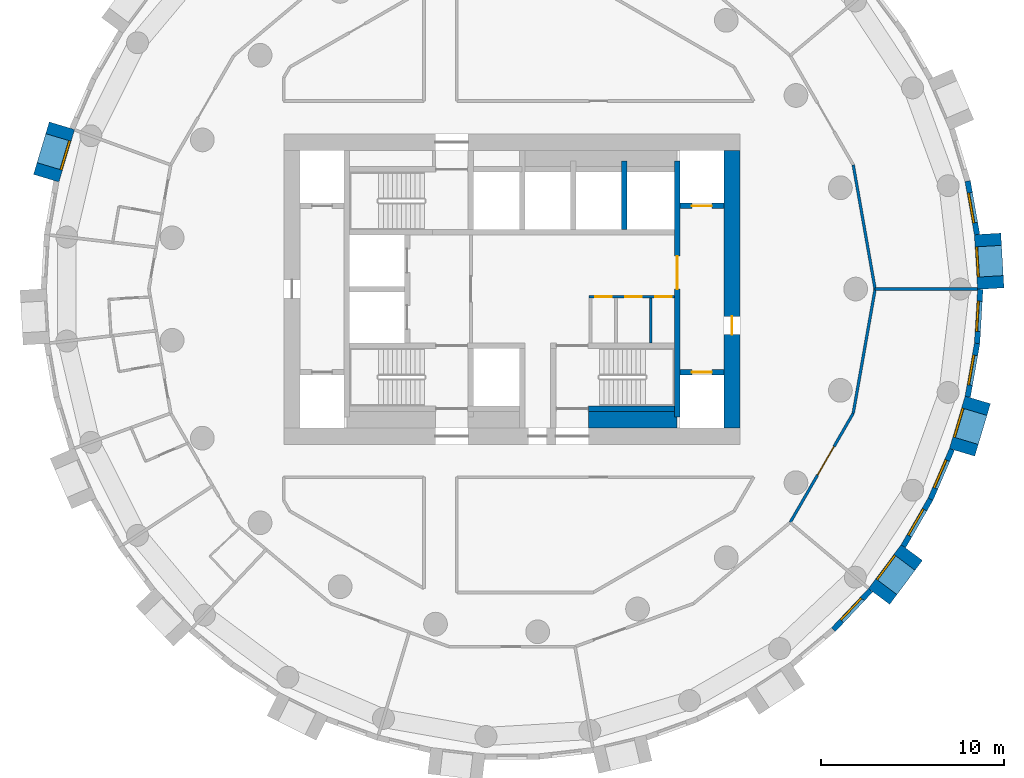
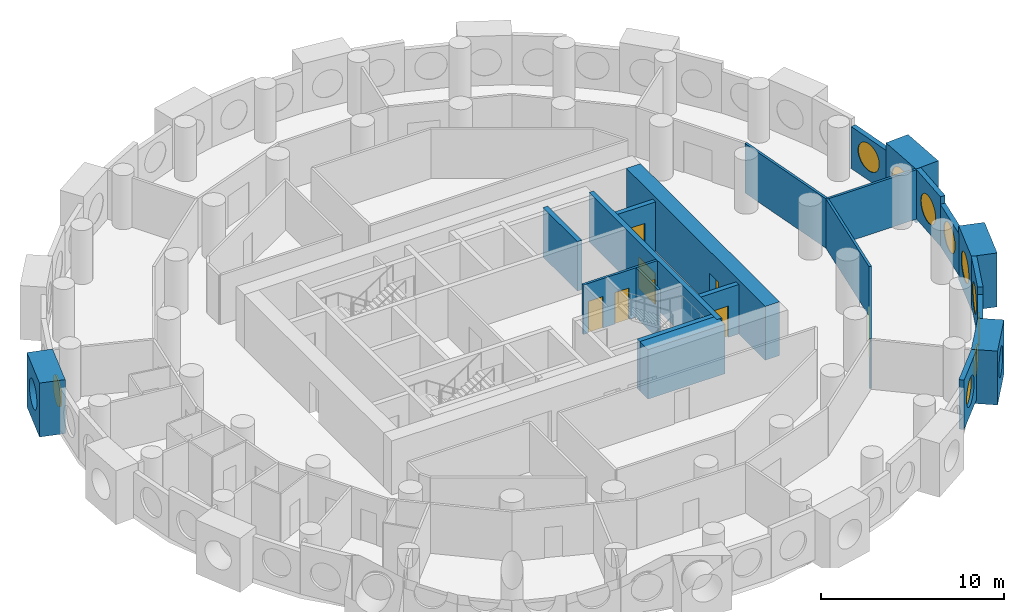
# One storey, part 5 of 9: 23 walls, 10 windows, 8 doors, 18 openings.
"""IFC4 building model written with IfcOpenShell, lengths in metres."""

from ifc_helpers import new_model, si_unit, direction, frame, frame_2d, origin, origin_2d, place, context, subcontext, project, spatial, rectangle, circle, extrude, material, layer, layer_set, type_object, element, fill, save


model = new_model("IFC4")

# Units and contexts
model_context = context("Model", 3, precision=1e-05, world=origin(), true_north=direction((0.0, 1.0)))
body_context = subcontext(model_context, "Body", "Model", "MODEL_VIEW")
ifc_project = project(units=[si_unit("LENGTHUNIT", "METRE"), si_unit("AREAUNIT", "SQUARE_METRE"), si_unit("VOLUMEUNIT", "CUBIC_METRE"), si_unit("PLANEANGLEUNIT", "RADIAN"), si_unit("MASSUNIT", "GRAM", prefix="KILO")], contexts=[model_context])

# Site, building, storey
site_placement = place(None, origin())
site = spatial("IfcSite", under=ifc_project, at=site_placement, CompositionType="ELEMENT")
building_placement = place(site_placement, origin())
building = spatial("IfcBuilding", under=site, at=building_placement, Name="Tracery Tower", CompositionType="ELEMENT")
storey_placement = place(building_placement, frame((0.0, 0.0, 208.800048828125)))
storey = spatial("IfcBuildingStorey", under=building, at=storey_placement, Name="L54", CompositionType="ELEMENT", Elevation=208.800048828125)

# Wall, openings, doors
ifc_material_1 = material(Name="Plasterboard on steel studs", Category="steel")
ifc_layer_1 = layer(ifc_material_1, 0.14990234375)
ifc_layer_set_1 = layer_set([ifc_layer_1], Name="Core room partition 150")
wall_type_1 = type_object("IfcWallType", Name="Core room partition 150", PredefinedType="SOLIDWALL", material=ifc_layer_set_1)
wall_1_placement = place(storey_placement, frame((4.22509765625, -0.425048828125, 0.0), z_axis=(0.0, 0.0, 1.0), x_axis=(1.0, 0.0, 0.0)))
wall_1 = element("IfcWall", 1, at=wall_1_placement, inside=storey, type_object=wall_type_1, Name="L54 slot N", PredefinedType="SOLIDWALL", context=body_context, shape_type="SweptSolid", body=[
    extrude(rectangle(XDim=4.6748046875, YDim=0.14990234375, at=frame_2d((2.33740234375, 0.0))), origin(), (0.0, 0.0, 1.0), 3.300048828125),
])
opening_1_placement = place(wall_1_placement, frame((0.324951171875, 0.0, 0.0)))
opening_1 = element("IfcOpeningElement", 2, at=opening_1_placement, cuts=wall_1, Name="Opening KD27", PredefinedType="OPENING", context=body_context, shape_type="SweptSolid", body=[
    extrude(rectangle(XDim=0.89990234375, YDim=2.10009765625, at=frame_2d((0.449951171875, 1.050048828125))), frame((0.0, 0.074951171875, 0.0), z_axis=(0.0, -1.0, 0.0), x_axis=(1.0, 0.0, 0.0)), (0.0, 0.0, 1.0), 0.14990234375),
])
opening_2_placement = place(wall_1_placement, frame((1.97509765625, 0.0, 0.0)))
opening_2 = element("IfcOpeningElement", 3, at=opening_2_placement, cuts=wall_1, Name="Opening KD21", PredefinedType="OPENING", context=body_context, shape_type="SweptSolid", body=[
    extrude(rectangle(XDim=0.89990234375, YDim=2.10009765625, at=frame_2d((0.449951171875, 1.050048828125))), frame((0.0, 0.074951171875, 0.0), z_axis=(0.0, -1.0, 0.0), x_axis=(1.0, 0.0, 0.0)), (0.0, 0.0, 1.0), 0.14990234375),
])
opening_3_placement = place(wall_1_placement, frame((3.612548828125, 0.0, 0.0)))
opening_3 = element("IfcOpeningElement", 4, at=opening_3_placement, cuts=wall_1, Name="Opening KD32", PredefinedType="OPENING", context=body_context, shape_type="SweptSolid", body=[
    extrude(rectangle(XDim=0.89990234375, YDim=2.10009765625, at=frame_2d((0.449951171875, 1.050048828125))), frame((0.0, 0.074951171875, 0.0), z_axis=(0.0, -1.0, 0.0), x_axis=(1.0, 0.0, 0.0)), (0.0, 0.0, 1.0), 0.14990234375),
])
ifc_material_2 = material(Name="Timber door leaf", Category="wood")
door_type_1 = type_object("IfcDoorType", Name="Core WC door 900", OperationType="NOTDEFINED", PredefinedType="DOOR", material=ifc_material_2)
door_1_placement = place(opening_2_placement, origin())
door_1 = element("IfcDoor", 5, at=door_1_placement, inside=storey, type_object=door_type_1, Name="Core door", OperationType="SINGLE_SWING_LEFT", OverallHeight=2.10009765625, OverallWidth=0.89990234375, PredefinedType="DOOR", context=body_context, shape_type="SweptSolid", body=[
    extrude(rectangle(XDim=0.89990234375, YDim=2.10009765625, at=frame_2d((0.449951171875, 1.050048828125))), frame((0.0, 0.02490234375, 0.0), z_axis=(0.0, -1.0, 0.0), x_axis=(1.0, 0.0, 0.0)), (0.0, 0.0, 1.0), 0.050048828125),
])
fill(opening_2, door_1)
ifc_material_3 = material(Name="Steel fire door", Category="steel")
door_type_2 = type_object("IfcDoorType", Name="Core riser door 900", OperationType="NOTDEFINED", PredefinedType="DOOR", material=ifc_material_3)
door_2_placement = place(opening_3_placement, origin())
door_2 = element("IfcDoor", 6, at=door_2_placement, inside=storey, type_object=door_type_2, Name="Core door", OperationType="SINGLE_SWING_RIGHT", OverallHeight=2.10009765625, OverallWidth=0.89990234375, PredefinedType="DOOR", context=body_context, shape_type="SweptSolid", body=[
    extrude(rectangle(XDim=0.89990234375, YDim=2.10009765625, at=frame_2d((0.449951171875, 1.050048828125))), frame((0.0, 0.02490234375, 0.0), z_axis=(0.0, -1.0, 0.0), x_axis=(1.0, 0.0, 0.0)), (0.0, 0.0, 1.0), 0.050048828125),
])
fill(opening_3, door_2)
ifc_material_4 = material(Name="Timber door leaf", Category="wood")
door_type_3 = type_object("IfcDoorType", Name="Core store door 900", OperationType="NOTDEFINED", PredefinedType="DOOR", material=ifc_material_4)
door_3_placement = place(opening_1_placement, origin())
door_3 = element("IfcDoor", 7, at=door_3_placement, inside=storey, type_object=door_type_3, Name="Core door", OperationType="SINGLE_SWING_RIGHT", OverallHeight=2.10009765625, OverallWidth=0.89990234375, PredefinedType="DOOR", context=body_context, shape_type="SweptSolid", body=[
    extrude(rectangle(XDim=0.89990234375, YDim=2.10009765625, at=frame_2d((0.449951171875, 1.050048828125))), frame((0.0, 0.02490234375, 0.0), z_axis=(0.0, -1.0, 0.0), x_axis=(1.0, 0.0, 0.0)), (0.0, 0.0, 1.0), 0.050048828125),
])
fill(opening_1, door_3)

# Walls
wall_2_placement = place(storey_placement, frame((7.60009765625, -2.949951171875, 0.0), z_axis=(0.0, 0.0, 1.0), x_axis=(0.0, 1.0, 0.0)))
element("IfcWall", 8, at=wall_2_placement, inside=storey, type_object=wall_type_1, Name="L54 slot sep 2", PredefinedType="SOLIDWALL", context=body_context, shape_type="SweptSolid", body=[
    extrude(rectangle(XDim=2.449951171875, YDim=0.14990234375, at=frame_2d((1.22509765625, 0.0))), origin(), (0.0, 0.0, 1.0), 3.300048828125),
])
ifc_material_5 = material(Name="Concrete C50/60", Category="concrete")
ifc_layer_2 = layer(ifc_material_5, 0.89990234375)
ifc_layer_set_2 = layer_set([ifc_layer_2], Name="Core strip wall 900 C50")
wall_type_2 = type_object("IfcWallType", Name="Core strip wall 900 C50", PredefinedType="SOLIDWALL", material=ifc_layer_set_2)
wall_3_placement = place(storey_placement, frame((4.199951171875, -7.14990234375, 0.0), z_axis=(0.0, 0.0, 1.0), x_axis=(1.0, 0.0, 0.0)))
element("IfcWall", 9, at=wall_3_placement, inside=storey, type_object=wall_type_2, Name="L54 F thick S E", PredefinedType="SOLIDWALL", context=body_context, shape_type="SweptSolid", body=[
    extrude(rectangle(XDim=4.85009765625, YDim=0.89990234375, at=frame_2d((2.425048828125, 0.0))), origin(), (0.0, 0.0, 1.0), 3.300048828125),
])

# Wall, opening, door
ifc_material_6 = material(Name="Concrete C50/60", Category="concrete")
ifc_layer_3 = layer(ifc_material_6, 0.89990234375)
ifc_layer_set_3 = layer_set([ifc_layer_3], Name="Core wall 900 C50")
wall_type_3 = type_object("IfcWallType", Name="Core wall 900 C50", PredefinedType="SOLIDWALL", material=ifc_layer_set_3)
wall_4_placement = place(storey_placement, frame((12.050048828125, -7.60009765625, 0.0), z_axis=(0.0, 0.0, 1.0), x_axis=(0.0, 1.0, 0.0)))
wall_4 = element("IfcWall", 10, at=wall_4_placement, inside=storey, type_object=wall_type_3, Name="L54 outer E", PredefinedType="SOLIDWALL", context=body_context, shape_type="SweptSolid", body=[
    extrude(rectangle(XDim=15.2001953125, YDim=0.89990234375, at=frame_2d((7.60009765625, 0.0))), origin(), (0.0, 0.0, 1.0), 3.599853515625),
])
opening_4_placement = place(wall_4_placement, frame((5.10009765625, 0.0, 0.0)))
opening_4 = element("IfcOpeningElement", 11, at=opening_4_placement, cuts=wall_4, Name="Opening KD18", PredefinedType="OPENING", context=body_context, shape_type="SweptSolid", body=[
    extrude(rectangle(XDim=1.0, YDim=2.10009765625, at=frame_2d((0.5, 1.050048828125))), frame((0.0, 0.449951171875, 0.0), z_axis=(0.0, -1.0, 0.0), x_axis=(1.0, 0.0, 0.0)), (0.0, 0.0, 1.0), 0.89990234375),
])
ifc_material_7 = material(Name="Steel fire door", Category="steel")
door_type_4 = type_object("IfcDoorType", Name="Core exit door 1000", OperationType="NOTDEFINED", PredefinedType="DOOR", material=ifc_material_7)
door_4_placement = place(opening_4_placement, origin())
door_4 = element("IfcDoor", 12, at=door_4_placement, inside=storey, type_object=door_type_4, Name="Core exit door", OperationType="DOUBLE_DOOR_SINGLE_SWING", OverallHeight=2.10009765625, OverallWidth=1.0, PredefinedType="DOOR", context=body_context, shape_type="SweptSolid", body=[
    extrude(rectangle(XDim=1.0, YDim=2.10009765625, at=frame_2d((0.5, 1.050048828125))), frame((0.0, 0.02490234375, 0.0), z_axis=(0.0, -1.0, 0.0), x_axis=(1.0, 0.0, 0.0)), (0.0, 0.0, 1.0), 0.050048828125),
])
fill(opening_4, door_4)

# Wall, opening, window
ifc_material_8 = material(Name="Precast concrete C50/60", Category="concrete")
ifc_layer_4 = layer(ifc_material_8, 1.449951171875)
ifc_layer_set_4 = layer_set([ifc_layer_4], Name="Deep-set bay unit 3000 x 3600, slab edge 300")
wall_type_4 = type_object("IfcWallType", Name="Deep-set bay unit 3000 x 3600, slab edge 300", PredefinedType="ELEMENTEDWALL", material=ifc_layer_set_4)
wall_5_placement = place(storey_placement, frame((26.221923828125, 0.024658203125, -0.300048828125), z_axis=(0.0, 0.0, 1.0), x_axis=(-0.058106596105, 0.998310384344, 0.0)))
wall_5 = element("IfcWall", 13, at=wall_5_placement, inside=storey, type_object=wall_type_4, Name="Deep-set bay unit 1 at L54", PredefinedType="ELEMENTEDWALL", context=body_context, shape_type="SweptSolid", body=[
    extrude(rectangle(XDim=3.0, YDim=1.449951171875, at=frame_2d((1.5, 0.0))), origin(), (0.0, 0.0, 1.0), 3.60009765625),
])
opening_5_placement = place(wall_5_placement, frame((1.5, 0.0, 1.85009765625)))
opening_5 = element("IfcOpeningElement", 14, at=opening_5_placement, cuts=wall_5, Name="Opening WN1", PredefinedType="OPENING", context=body_context, shape_type="SweptSolid", body=[
    extrude(circle(Radius=0.9000244140625, at=origin_2d()), frame((0.0, 0.73486328125, 0.0), z_axis=(0.0, -1.0, 0.0), x_axis=(1.0, 0.0, 0.0)), (0.0, 0.0, 1.0), 1.469970703125),
])
ifc_material_9 = material(Name="Aluminium frame with tinted double glazing", Category="aluminium")
window_type = type_object("IfcWindowType", Name="Round window 1800", PartitioningType="SINGLE_PANEL", PredefinedType="WINDOW", material=ifc_material_9)
window_1_placement = place(opening_5_placement, origin())
window_1 = element("IfcWindow", 15, at=window_1_placement, inside=storey, type_object=window_type, Name="Round window 1 at L54", OverallHeight=1.800048828125, OverallWidth=1.800048828125, PartitioningType="SINGLE_PANEL", PredefinedType="WINDOW", context=body_context, shape_type="SweptSolid", body=[
    extrude(circle(Radius=0.9000244140625, at=origin_2d()), frame((0.0, 0.69482421875, 0.0), z_axis=(0.0, -1.0, 0.0), x_axis=(1.0, 0.0, 0.0)), (0.0, 0.0, 1.0), 0.10009765625),
])
fill(opening_5, window_1)

wall_6_placement = place(storey_placement, frame((-24.649169921875, 8.9453125, -0.300048828125), z_axis=(0.0, 0.0, 1.0), x_axis=(-0.286780420304, -0.957996341606, 0.0)))
wall_6 = element("IfcWall", 16, at=wall_6_placement, inside=storey, type_object=wall_type_4, Name="Deep-set bay unit 25 at L54", PredefinedType="ELEMENTEDWALL", context=body_context, shape_type="SweptSolid", body=[
    extrude(rectangle(XDim=3.0, YDim=1.449951171875, at=frame_2d((1.5, 0.0))), origin(), (0.0, 0.0, 1.0), 3.60009765625),
])
opening_6_placement = place(wall_6_placement, frame((1.5, 0.0, 1.85009765625)))
opening_6 = element("IfcOpeningElement", 17, at=opening_6_placement, cuts=wall_6, Name="Opening WN1", PredefinedType="OPENING", context=body_context, shape_type="SweptSolid", body=[
    extrude(circle(Radius=0.9000244140625, at=origin_2d()), frame((0.0, 0.73486328125, 0.0), z_axis=(0.0, -1.0, 0.0), x_axis=(1.0, 0.0, 0.0)), (0.0, 0.0, 1.0), 1.469970703125),
])
window_2_placement = place(opening_6_placement, origin())
window_2 = element("IfcWindow", 18, at=window_2_placement, inside=storey, type_object=window_type, Name="Round window 25 at L54", OverallHeight=1.800048828125, OverallWidth=1.800048828125, PartitioningType="SINGLE_PANEL", PredefinedType="WINDOW", context=body_context, shape_type="SweptSolid", body=[
    extrude(circle(Radius=0.9000244140625, at=origin_2d()), frame((0.0, 0.69482421875, 0.0), z_axis=(0.0, -1.0, 0.0), x_axis=(1.0, 0.0, 0.0)), (0.0, 0.0, 1.0), 0.10009765625),
])
fill(opening_6, window_2)

wall_7_placement = place(storey_placement, frame((20.10302734375, -16.836181640625, -0.300048828125), z_axis=(0.0, 0.0, 1.0), x_axis=(0.597183717734, 0.802104486506, 0.0)))
wall_7 = element("IfcWall", 19, at=wall_7_placement, inside=storey, type_object=wall_type_4, Name="Deep-set bay unit 49 at L54", PredefinedType="ELEMENTEDWALL", context=body_context, shape_type="SweptSolid", body=[
    extrude(rectangle(XDim=3.0, YDim=1.449951171875, at=frame_2d((1.5, 0.0))), origin(), (0.0, 0.0, 1.0), 3.60009765625),
])
opening_7_placement = place(wall_7_placement, frame((1.5, 0.0, 1.85009765625)))
opening_7 = element("IfcOpeningElement", 20, at=opening_7_placement, cuts=wall_7, Name="Opening WN1", PredefinedType="OPENING", context=body_context, shape_type="SweptSolid", body=[
    extrude(circle(Radius=0.9000244140625, at=origin_2d()), frame((0.0, 0.73486328125, 0.0), z_axis=(0.0, -1.0, 0.0), x_axis=(1.0, 0.0, 0.0)), (0.0, 0.0, 1.0), 1.469970703125),
])
window_3_placement = place(opening_7_placement, origin())
window_3 = element("IfcWindow", 21, at=window_3_placement, inside=storey, type_object=window_type, Name="Round window 49 at L54", OverallHeight=1.800048828125, OverallWidth=1.800048828125, PartitioningType="SINGLE_PANEL", PredefinedType="WINDOW", context=body_context, shape_type="SweptSolid", body=[
    extrude(circle(Radius=0.9000244140625, at=origin_2d()), frame((0.0, 0.69482421875, 0.0), z_axis=(0.0, -1.0, 0.0), x_axis=(1.0, 0.0, 0.0)), (0.0, 0.0, 1.0), 0.10009765625),
])
fill(opening_7, window_3)

wall_8_placement = place(storey_placement, frame((24.649169921875, -8.9453125, -0.300048828125), z_axis=(0.0, 0.0, 1.0), x_axis=(0.286780420304, 0.957996341606, 0.0)))
wall_8 = element("IfcWall", 22, at=wall_8_placement, inside=storey, type_object=wall_type_4, Name="Deep-set bay unit 52 at L54", PredefinedType="ELEMENTEDWALL", context=body_context, shape_type="SweptSolid", body=[
    extrude(rectangle(XDim=3.0, YDim=1.449951171875, at=frame_2d((1.5, 0.0))), origin(), (0.0, 0.0, 1.0), 3.60009765625),
])
opening_8_placement = place(wall_8_placement, frame((1.5, 0.0, 1.85009765625)))
opening_8 = element("IfcOpeningElement", 23, at=opening_8_placement, cuts=wall_8, Name="Opening WN1", PredefinedType="OPENING", context=body_context, shape_type="SweptSolid", body=[
    extrude(circle(Radius=0.9000244140625, at=origin_2d()), frame((0.0, 0.73486328125, 0.0), z_axis=(0.0, -1.0, 0.0), x_axis=(1.0, 0.0, 0.0)), (0.0, 0.0, 1.0), 1.469970703125),
])
window_4_placement = place(opening_8_placement, origin())
window_4 = element("IfcWindow", 24, at=window_4_placement, inside=storey, type_object=window_type, Name="Round window 52 at L54", OverallHeight=1.800048828125, OverallWidth=1.800048828125, PartitioningType="SINGLE_PANEL", PredefinedType="WINDOW", context=body_context, shape_type="SweptSolid", body=[
    extrude(circle(Radius=0.9000244140625, at=origin_2d()), frame((0.0, 0.69482421875, 0.0), z_axis=(0.0, -1.0, 0.0), x_axis=(1.0, 0.0, 0.0)), (0.0, 0.0, 1.0), 0.10009765625),
])
fill(opening_8, window_4)

ifc_material_10 = material(Name="Precast concrete C50/60", Category="concrete")
ifc_layer_5 = layer(ifc_material_10, 0.300048828125)
ifc_layer_set_5 = layer_set([ifc_layer_5], Name="Facade panel 3000 x 2800")
wall_type_5 = type_object("IfcWallType", Name="Facade panel 3000 x 2800", PredefinedType="SOLIDWALL", material=ifc_layer_set_5)
wall_9_placement = place(storey_placement, frame((25.472412109375, 2.987060546875, 0.0), z_axis=(0.0, 0.0, 1.0), x_axis=(-0.173686952598, 0.984800915159, 0.0)))
wall_9 = element("IfcWall", 25, at=wall_9_placement, inside=storey, type_object=wall_type_5, Name="Facade panel 2 at L54", PredefinedType="SOLIDWALL", context=body_context, shape_type="SweptSolid", body=[
    extrude(rectangle(XDim=2.972900390625, YDim=0.300048828125, at=frame_2d((1.486328125, 0.0))), origin(), (0.0, 0.0, 1.0), 2.800048828125),
])
opening_9_placement = place(wall_9_placement, frame((1.486328125, 0.0, 1.5498046875)))
opening_9 = element("IfcOpeningElement", 26, at=opening_9_placement, cuts=wall_9, Name="Opening WN1", PredefinedType="OPENING", context=body_context, shape_type="SweptSolid", body=[
    extrude(circle(Radius=0.9000244140625, at=origin_2d()), frame((0.0, 0.159912109375, 0.0), z_axis=(0.0, -1.0, 0.0), x_axis=(1.0, 0.0, 0.0)), (0.0, 0.0, 1.0), 0.320068359375),
])
window_5_placement = place(opening_9_placement, origin())
window_5 = element("IfcWindow", 27, at=window_5_placement, inside=storey, type_object=window_type, Name="Round window 2 at L54", OverallHeight=1.800048828125, OverallWidth=1.800048828125, PartitioningType="SINGLE_PANEL", PredefinedType="WINDOW", context=body_context, shape_type="SweptSolid", body=[
    extrude(circle(Radius=0.9000244140625, at=origin_2d()), frame((0.0, 0.1201171875, 0.0), z_axis=(0.0, -1.0, 0.0), x_axis=(1.0, 0.0, 0.0)), (0.0, 0.0, 1.0), 0.10009765625),
])
fill(opening_9, window_5)

wall_10_placement = place(storey_placement, frame((21.432861328125, -14.085205078125, 0.0), z_axis=(0.0, 0.0, 1.0), x_axis=(0.500016263033, 0.866016014115, 0.0)))
wall_10 = element("IfcWall", 28, at=wall_10_placement, inside=storey, type_object=wall_type_5, Name="Facade panel 50 at L54", PredefinedType="SOLIDWALL", context=body_context, shape_type="SweptSolid", body=[
    extrude(rectangle(XDim=2.97314453125, YDim=0.300048828125, at=frame_2d((1.486572265625, 0.0))), origin(), (0.0, 0.0, 1.0), 2.800048828125),
])
opening_10_placement = place(wall_10_placement, frame((1.486328125, 0.0, 1.5498046875)))
opening_10 = element("IfcOpeningElement", 29, at=opening_10_placement, cuts=wall_10, Name="Opening WN1", PredefinedType="OPENING", context=body_context, shape_type="SweptSolid", body=[
    extrude(circle(Radius=0.9000244140625, at=origin_2d()), frame((0.0, 0.159912109375, 0.0), z_axis=(0.0, -1.0, 0.0), x_axis=(1.0, 0.0, 0.0)), (0.0, 0.0, 1.0), 0.320068359375),
])
window_6_placement = place(opening_10_placement, origin())
window_6 = element("IfcWindow", 30, at=window_6_placement, inside=storey, type_object=window_type, Name="Round window 50 at L54", OverallHeight=1.800048828125, OverallWidth=1.800048828125, PartitioningType="SINGLE_PANEL", PredefinedType="WINDOW", context=body_context, shape_type="SweptSolid", body=[
    extrude(circle(Radius=0.9000244140625, at=origin_2d()), frame((0.0, 0.1201171875, 0.0), z_axis=(0.0, -1.0, 0.0), x_axis=(1.0, 0.0, 0.0)), (0.0, 0.0, 1.0), 0.10009765625),
])
fill(opening_10, window_6)

wall_11_placement = place(storey_placement, frame((24.957763671875, -5.9052734375, 0.0), z_axis=(0.0, 0.0, 1.0), x_axis=(0.173686952598, 0.984800915159, 0.0)))
wall_11 = element("IfcWall", 31, at=wall_11_placement, inside=storey, type_object=wall_type_5, Name="Facade panel 53 at L54", PredefinedType="SOLIDWALL", context=body_context, shape_type="SweptSolid", body=[
    extrude(rectangle(XDim=2.972900390625, YDim=0.300048828125, at=frame_2d((1.486328125, 0.0))), origin(), (0.0, 0.0, 1.0), 2.800048828125),
])
opening_11_placement = place(wall_11_placement, frame((1.486328125, 0.0, 1.5498046875)))
opening_11 = element("IfcOpeningElement", 32, at=opening_11_placement, cuts=wall_11, Name="Opening WN1", PredefinedType="OPENING", context=body_context, shape_type="SweptSolid", body=[
    extrude(circle(Radius=0.9000244140625, at=origin_2d()), frame((0.0, 0.159912109375, 0.0), z_axis=(0.0, -1.0, 0.0), x_axis=(1.0, 0.0, 0.0)), (0.0, 0.0, 1.0), 0.320068359375),
])
window_7_placement = place(opening_11_placement, origin())
window_7 = element("IfcWindow", 33, at=window_7_placement, inside=storey, type_object=window_type, Name="Round window 53 at L54", OverallHeight=1.800048828125, OverallWidth=1.800048828125, PartitioningType="SINGLE_PANEL", PredefinedType="WINDOW", context=body_context, shape_type="SweptSolid", body=[
    extrude(circle(Radius=0.9000244140625, at=origin_2d()), frame((0.0, 0.1201171875, 0.0), z_axis=(0.0, -1.0, 0.0), x_axis=(1.0, 0.0, 0.0)), (0.0, 0.0, 1.0), 0.10009765625),
])
fill(opening_11, window_7)

ifc_material_11 = material(Name="Precast concrete C50/60", Category="concrete")
ifc_layer_6 = layer(ifc_material_11, 0.300048828125)
ifc_layer_set_6 = layer_set([ifc_layer_6], Name="Facade panel 3000 x 3300")
wall_type_6 = type_object("IfcWallType", Name="Facade panel 3000 x 3300", PredefinedType="SOLIDWALL", material=ifc_layer_set_6)
wall_12_placement = place(storey_placement, frame((17.600341796875, -18.6552734375, 0.0), z_axis=(0.0, 0.0, 1.0), x_axis=(0.686235184166, 0.727379730273, 0.0)))
wall_12 = element("IfcWall", 34, at=wall_12_placement, inside=storey, type_object=wall_type_6, Name="Facade panel 48 at L54", PredefinedType="SOLIDWALL", context=body_context, shape_type="SweptSolid", body=[
    extrude(rectangle(XDim=2.972900390625, YDim=0.300048828125, at=frame_2d((1.486328125, 0.0))), origin(), (0.0, 0.0, 1.0), 3.300048828125),
])
opening_12_placement = place(wall_12_placement, frame((1.486328125, 0.0, 1.5498046875)))
opening_12 = element("IfcOpeningElement", 35, at=opening_12_placement, cuts=wall_12, Name="Opening WN1", PredefinedType="OPENING", context=body_context, shape_type="SweptSolid", body=[
    extrude(circle(Radius=0.9000244140625, at=origin_2d()), frame((0.0, 0.159912109375, 0.0), z_axis=(0.0, -1.0, 0.0), x_axis=(1.0, 0.0, 0.0)), (0.0, 0.0, 1.0), 0.320068359375),
])
window_8_placement = place(opening_12_placement, origin())
window_8 = element("IfcWindow", 36, at=window_8_placement, inside=storey, type_object=window_type, Name="Round window 48 at L54", OverallHeight=1.800048828125, OverallWidth=1.800048828125, PartitioningType="SINGLE_PANEL", PredefinedType="WINDOW", context=body_context, shape_type="SweptSolid", body=[
    extrude(circle(Radius=0.9000244140625, at=origin_2d()), frame((0.0, 0.1201171875, 0.0), z_axis=(0.0, -1.0, 0.0), x_axis=(1.0, 0.0, 0.0)), (0.0, 0.0, 1.0), 0.10009765625),
])
fill(opening_12, window_8)

wall_13_placement = place(storey_placement, frame((22.91943359375, -11.510498046875, 0.0), z_axis=(0.0, 0.0, 1.0), x_axis=(0.396078892785, 0.918216483565, 0.0)))
wall_13 = element("IfcWall", 37, at=wall_13_placement, inside=storey, type_object=wall_type_6, Name="Facade panel 51 at L54", PredefinedType="SOLIDWALL", context=body_context, shape_type="SweptSolid", body=[
    extrude(rectangle(XDim=2.972900390625, YDim=0.300048828125, at=frame_2d((1.486328125, 0.0))), origin(), (0.0, 0.0, 1.0), 3.300048828125),
])
opening_13_placement = place(wall_13_placement, frame((1.486328125, 0.0, 1.5498046875)))
opening_13 = element("IfcOpeningElement", 38, at=opening_13_placement, cuts=wall_13, Name="Opening WN1", PredefinedType="OPENING", context=body_context, shape_type="SweptSolid", body=[
    extrude(circle(Radius=0.9000244140625, at=origin_2d()), frame((0.0, 0.159912109375, 0.0), z_axis=(0.0, -1.0, 0.0), x_axis=(1.0, 0.0, 0.0)), (0.0, 0.0, 1.0), 0.320068359375),
])
window_9_placement = place(opening_13_placement, origin())
window_9 = element("IfcWindow", 39, at=window_9_placement, inside=storey, type_object=window_type, Name="Round window 51 at L54", OverallHeight=1.800048828125, OverallWidth=1.800048828125, PartitioningType="SINGLE_PANEL", PredefinedType="WINDOW", context=body_context, shape_type="SweptSolid", body=[
    extrude(circle(Radius=0.9000244140625, at=origin_2d()), frame((0.0, 0.1201171875, 0.0), z_axis=(0.0, -1.0, 0.0), x_axis=(1.0, 0.0, 0.0)), (0.0, 0.0, 1.0), 0.10009765625),
])
fill(opening_13, window_9)

wall_14_placement = place(storey_placement, frame((25.47412109375, -2.9775390625, 0.0), z_axis=(0.0, 0.0, 1.0), x_axis=(0.058139540521, 0.998308466271, 0.0)))
wall_14 = element("IfcWall", 40, at=wall_14_placement, inside=storey, type_object=wall_type_6, Name="Facade panel 54 at L54", PredefinedType="SOLIDWALL", context=body_context, shape_type="SweptSolid", body=[
    extrude(rectangle(XDim=2.97314453125, YDim=0.300048828125, at=frame_2d((1.486572265625, 0.0))), origin(), (0.0, 0.0, 1.0), 3.300048828125),
])
opening_14_placement = place(wall_14_placement, frame((1.486328125, 0.0, 1.5498046875)))
opening_14 = element("IfcOpeningElement", 41, at=opening_14_placement, cuts=wall_14, Name="Opening WN1", PredefinedType="OPENING", context=body_context, shape_type="SweptSolid", body=[
    extrude(circle(Radius=0.9000244140625, at=origin_2d()), frame((0.0, 0.159912109375, 0.0), z_axis=(0.0, -1.0, 0.0), x_axis=(1.0, 0.0, 0.0)), (0.0, 0.0, 1.0), 0.320068359375),
])
window_10_placement = place(opening_14_placement, origin())
window_10 = element("IfcWindow", 42, at=window_10_placement, inside=storey, type_object=window_type, Name="Round window 54 at L54", OverallHeight=1.800048828125, OverallWidth=1.800048828125, PartitioningType="SINGLE_PANEL", PredefinedType="WINDOW", context=body_context, shape_type="SweptSolid", body=[
    extrude(circle(Radius=0.9000244140625, at=origin_2d()), frame((0.0, 0.1201171875, 0.0), z_axis=(0.0, -1.0, 0.0), x_axis=(1.0, 0.0, 0.0)), (0.0, 0.0, 1.0), 0.10009765625),
])
fill(opening_14, window_10)

# Walls
ifc_material_12 = material(Name="Plasterboard on steel studs", Category="steel")
ifc_layer_7 = layer(ifc_material_12, 0.14990234375)
ifc_layer_set_7 = layer_set([ifc_layer_7], Name="Partition 150 acoustic unit wall")
wall_type_7 = type_object("IfcWallType", Name="Partition 150 acoustic unit wall", PredefinedType="PARTITIONING", material=ifc_layer_set_7)
wall_15_placement = place(storey_placement, frame((19.887939453125, 0.0, 0.0), z_axis=(0.0, 0.0, 1.0), x_axis=(1.0, 0.0, 0.0)))
element("IfcWall", 43, at=wall_15_placement, inside=storey, type_object=wall_type_7, Name="Unit wall RB8-041", PredefinedType="PARTITIONING", context=body_context, shape_type="SweptSolid", body=[
    extrude(rectangle(XDim=5.609130859375, YDim=0.14990234375, at=frame_2d((2.8046875, 0.0))), origin(), (0.0, 0.0, 1.0), 3.300048828125),
])
ifc_material_13 = material(Name="Plasterboard on steel studs", Category="steel")
ifc_layer_8 = layer(ifc_material_13, 0.14990234375)
ifc_layer_set_8 = layer_set([ifc_layer_8], Name="Partition 150 corridor wall")
wall_type_8 = type_object("IfcWallType", Name="Partition 150 corridor wall", PredefinedType="PARTITIONING", material=ifc_layer_set_8)
for number, where, z_axis, x_axis, name in (
    (44, (18.68798828125, 6.802001953125, 0.0), (0.0, 0.0, 1.0), (0.173728873845, -0.98479352069, 0.0), "Corridor wall RB8-008"),
    (45, (18.68798828125, -6.802001953125, 0.0), (0.0, 0.0, 1.0), (0.173728873845, 0.98479352069, 0.0), "Corridor wall RB8-011"),
):
    element("IfcWall", number, at=place(storey_placement, frame(where, z_axis=z_axis, x_axis=x_axis)), inside=storey, type_object=wall_type_8, Name=name, PredefinedType="PARTITIONING", context=body_context, shape_type="SweptSolid", body=[
        extrude(rectangle(XDim=6.906982421875, YDim=0.14990234375, at=frame_2d((3.45361328125, 0.0))), origin(), (0.0, 0.0, 1.0), 3.300048828125),
    ])

# Wall, opening, door
wall_16_placement = place(storey_placement, frame((15.235107421875, -12.783935546875, 0.0), z_axis=(0.0, 0.0, 1.0), x_axis=(0.499914202267, 0.866074933462, 0.0)))
wall_16 = element("IfcWall", 46, at=wall_16_placement, inside=storey, type_object=wall_type_8, Name="Corridor wall RB8-012", PredefinedType="PARTITIONING", context=body_context, shape_type="SweptSolid", body=[
    extrude(rectangle(XDim=6.906982421875, YDim=0.14990234375, at=frame_2d((3.45361328125, 0.0))), origin(), (0.0, 0.0, 1.0), 3.300048828125),
])
opening_15_placement = place(wall_16_placement, frame((3.003173828125, 0.0, 0.0)))
opening_15 = element("IfcOpeningElement", 47, at=opening_15_placement, cuts=wall_16, Name="Opening RB8-22", PredefinedType="OPENING", context=body_context, shape_type="SweptSolid", body=[
    extrude(rectangle(XDim=1.800048828125, YDim=2.10009765625, at=frame_2d((0.89990234375, 1.050048828125))), frame((0.0, 0.074951171875, 0.0), z_axis=(0.0, -1.0, 0.0), x_axis=(1.0, 0.0, 0.0)), (0.0, 0.0, 1.0), 0.14990234375),
])
ifc_material_14 = material(Name="Timber door leaf", Category="wood")
door_type_5 = type_object("IfcDoorType", Name="Door double lounge 1800", OperationType="NOTDEFINED", PredefinedType="DOOR", material=ifc_material_14)
door_5_placement = place(opening_15_placement, origin())
door_5 = element("IfcDoor", 48, at=door_5_placement, inside=storey, type_object=door_type_5, Name="Double lounge door RB8-22", OperationType="DOUBLE_DOOR_SINGLE_SWING", OverallHeight=2.10009765625, OverallWidth=1.800048828125, PredefinedType="DOOR", context=body_context, shape_type="SweptSolid", body=[
    extrude(rectangle(XDim=1.800048828125, YDim=2.10009765625, at=frame_2d((0.89990234375, 1.050048828125))), frame((0.0, 0.02490234375, 0.0), z_axis=(0.0, -1.0, 0.0), x_axis=(1.0, 0.0, 0.0)), (0.0, 0.0, 1.0), 0.050048828125),
])
fill(opening_15, door_5)

# Wall
ifc_material_15 = material(Name="Concrete C50/60", Category="concrete")
ifc_layer_9 = layer(ifc_material_15, 0.300048828125)
ifc_layer_set_9 = layer_set([ifc_layer_9], Name="Shaft wall 300 C50")
wall_type_9 = type_object("IfcWallType", Name="Shaft wall 300 C50", PredefinedType="SOLIDWALL", material=ifc_layer_set_9)
wall_17_placement = place(storey_placement, frame((6.14990234375, 3.25, 0.0), z_axis=(0.0, 0.0, 1.0), x_axis=(0.0, 1.0, 0.0)))
element("IfcWall", 49, at=wall_17_placement, inside=storey, type_object=wall_type_9, Name="L54 HR sep 3", PredefinedType="SOLIDWALL", context=body_context, shape_type="SweptSolid", body=[
    extrude(rectangle(XDim=3.75, YDim=0.300048828125, at=frame_2d((1.875, 0.0))), origin(), (0.0, 0.0, 1.0), 3.300048828125),
])

# Wall, opening, door
wall_18_placement = place(storey_placement, frame((9.199951171875, -4.550048828125, 0.0), z_axis=(0.0, 0.0, 1.0), x_axis=(1.0, 0.0, 0.0)))
wall_18 = element("IfcWall", 50, at=wall_18_placement, inside=storey, type_object=wall_type_9, Name="L54 MR E -4.55", PredefinedType="SOLIDWALL", context=body_context, shape_type="SweptSolid", body=[
    extrude(rectangle(XDim=2.400146484375, YDim=0.300048828125, at=frame_2d((1.2001953125, 0.0))), origin(), (0.0, 0.0, 1.0), 3.300048828125),
])
opening_16_placement = place(wall_18_placement, frame((0.64990234375, 0.0, 0.0)))
opening_16 = element("IfcOpeningElement", 51, at=opening_16_placement, cuts=wall_18, Name="Opening KD50", PredefinedType="OPENING", context=body_context, shape_type="SweptSolid", body=[
    extrude(rectangle(XDim=1.10009765625, YDim=2.10009765625, at=frame_2d((0.550048828125, 1.050048828125))), frame((0.0, 0.14990234375, 0.0), z_axis=(0.0, -1.0, 0.0), x_axis=(1.0, 0.0, 0.0)), (0.0, 0.0, 1.0), 0.300048828125),
])
ifc_material_16 = material(Name="Steel fire door", Category="steel")
door_type_6 = type_object("IfcDoorType", Name="Landing door 1100", OperationType="NOTDEFINED", PredefinedType="DOOR", material=ifc_material_16)
door_6_placement = place(opening_16_placement, origin())
door_6 = element("IfcDoor", 52, at=door_6_placement, inside=storey, type_object=door_type_6, Name="Landing door MR3", OperationType="SLIDING_TO_RIGHT", OverallHeight=2.10009765625, OverallWidth=1.10009765625, PredefinedType="DOOR", context=body_context, shape_type="SweptSolid", body=[
    extrude(rectangle(XDim=1.10009765625, YDim=2.10009765625, at=frame_2d((0.550048828125, 1.050048828125))), frame((0.0, 0.02490234375, 0.0), z_axis=(0.0, -1.0, 0.0), x_axis=(1.0, 0.0, 0.0)), (0.0, 0.0, 1.0), 0.050048828125),
])
fill(opening_16, door_6)

wall_19_placement = place(storey_placement, frame((9.199951171875, 4.550048828125, 0.0), z_axis=(0.0, 0.0, 1.0), x_axis=(1.0, 0.0, 0.0)))
wall_19 = element("IfcWall", 53, at=wall_19_placement, inside=storey, type_object=wall_type_9, Name="L54 MR E +4.55", PredefinedType="SOLIDWALL", context=body_context, shape_type="SweptSolid", body=[
    extrude(rectangle(XDim=2.400146484375, YDim=0.300048828125, at=frame_2d((1.2001953125, 0.0))), origin(), (0.0, 0.0, 1.0), 3.300048828125),
])
opening_17_placement = place(wall_19_placement, frame((0.64990234375, 0.0, 0.0)))
opening_17 = element("IfcOpeningElement", 54, at=opening_17_placement, cuts=wall_19, Name="Opening KD49", PredefinedType="OPENING", context=body_context, shape_type="SweptSolid", body=[
    extrude(rectangle(XDim=1.10009765625, YDim=2.10009765625, at=frame_2d((0.550048828125, 1.050048828125))), frame((0.0, 0.14990234375, 0.0), z_axis=(0.0, -1.0, 0.0), x_axis=(1.0, 0.0, 0.0)), (0.0, 0.0, 1.0), 0.300048828125),
])
door_7_placement = place(opening_17_placement, origin())
door_7 = element("IfcDoor", 55, at=door_7_placement, inside=storey, type_object=door_type_6, Name="Landing door MR4", OperationType="SLIDING_TO_LEFT", OverallHeight=2.10009765625, OverallWidth=1.10009765625, PredefinedType="DOOR", context=body_context, shape_type="SweptSolid", body=[
    extrude(rectangle(XDim=1.10009765625, YDim=2.10009765625, at=frame_2d((0.550048828125, 1.050048828125))), frame((0.0, 0.02490234375, 0.0), z_axis=(0.0, -1.0, 0.0), x_axis=(1.0, 0.0, 0.0)), (0.0, 0.0, 1.0), 0.050048828125),
])
fill(opening_17, door_7)

ifc_material_17 = material(Name="Concrete C50/60", Category="concrete")
ifc_layer_10 = layer(ifc_material_17, 0.300048828125)
ifc_layer_set_10 = layer_set([ifc_layer_10], Name="Stair wall 300 C50")
wall_type_10 = type_object("IfcWallType", Name="Stair wall 300 C50", PredefinedType="SOLIDWALL", material=ifc_layer_set_10)
wall_20_placement = place(storey_placement, frame((9.050048828125, -7.0, 0.0), z_axis=(0.0, 0.0, 1.0), x_axis=(0.0, 1.0, 0.0)))
wall_20 = element("IfcWall", 56, at=wall_20_placement, inside=storey, type_object=wall_type_10, Name="L54 F wall +9", PredefinedType="SOLIDWALL", context=body_context, shape_type="SweptSolid", body=[
    extrude(rectangle(XDim=14.0, YDim=0.300048828125, at=frame_2d((7.0, 0.0))), origin(), (0.0, 0.0, 1.0), 3.300048828125),
])
opening_18_placement = place(wall_20_placement, frame((7.0, 0.0, 0.0)))
opening_18 = element("IfcOpeningElement", 57, at=opening_18_placement, cuts=wall_20, Name="Opening KD13", PredefinedType="OPENING", context=body_context, shape_type="SweptSolid", body=[
    extrude(rectangle(XDim=1.800048828125, YDim=2.10009765625, at=frame_2d((0.89990234375, 1.050048828125))), frame((0.0, 0.14990234375, 0.0), z_axis=(0.0, -1.0, 0.0), x_axis=(1.0, 0.0, 0.0)), (0.0, 0.0, 1.0), 0.300048828125),
])
ifc_material_18 = material(Name="Steel fire door", Category="steel")
door_type_7 = type_object("IfcDoorType", Name="Core exit door 1800 double", OperationType="NOTDEFINED", PredefinedType="DOOR", material=ifc_material_18)
door_8_placement = place(opening_18_placement, origin())
door_8 = element("IfcDoor", 58, at=door_8_placement, inside=storey, type_object=door_type_7, Name="Core exit door", OperationType="DOUBLE_DOOR_SINGLE_SWING", OverallHeight=2.10009765625, OverallWidth=1.800048828125, PredefinedType="DOOR", context=body_context, shape_type="SweptSolid", body=[
    extrude(rectangle(XDim=1.800048828125, YDim=2.10009765625, at=frame_2d((0.89990234375, 1.050048828125))), frame((0.0, 0.02490234375, 0.0), z_axis=(0.0, -1.0, 0.0), x_axis=(1.0, 0.0, 0.0)), (0.0, 0.0, 1.0), 0.050048828125),
])
fill(opening_18, door_8)

# Wall
wall_21_placement = place(storey_placement, frame((4.199951171875, -6.550048828125, 0.0), z_axis=(0.0, 0.0, 1.0), x_axis=(1.0, 0.0, 0.0)))
element("IfcWall", 59, at=wall_21_placement, inside=storey, type_object=wall_type_10, Name="L54 F stair strip S E", PredefinedType="SOLIDWALL", context=body_context, shape_type="SweptSolid", body=[
    extrude(rectangle(XDim=4.699951171875, YDim=0.300048828125, at=frame_2d((2.35009765625, 0.0))), origin(), (0.0, 0.0, 1.0), 3.300048828125),
])

save(model, "model.ifc")
